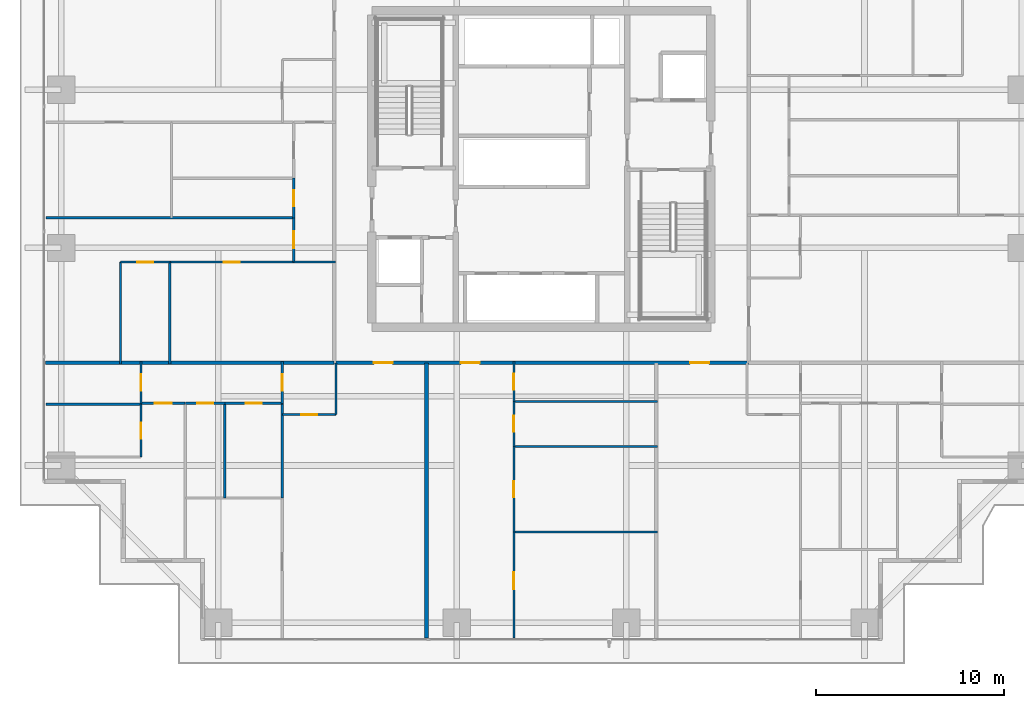
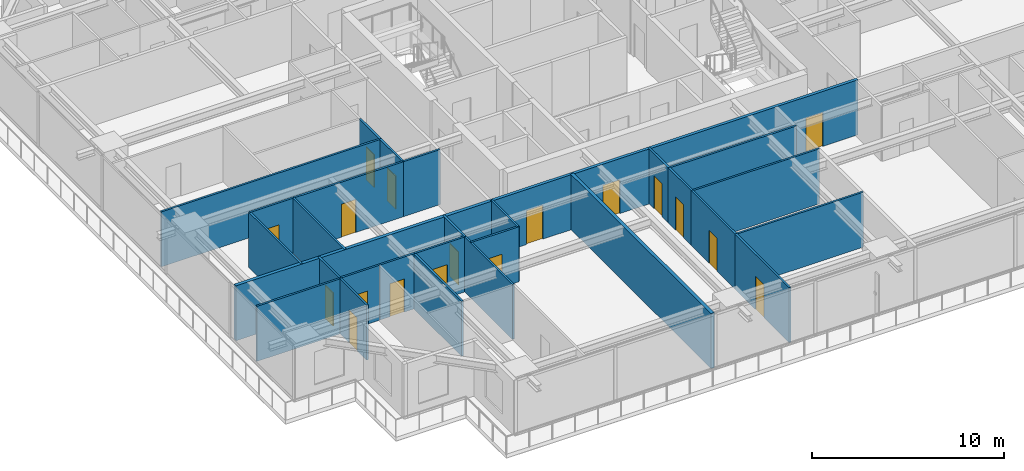
# One storey, part 26 of 38: 29 walls, 18 doors, 18 openings.
"""IFC4 building model written with IfcOpenShell, lengths in metres."""

from ifc_helpers import new_model, si_unit, direction, frame, frame_2d, origin, place, context, subcontext, project, spatial, rectangle, extrude, source, transform, mapped, material, layer, layer_set, type_object, element, fill, save


model = new_model("IFC4")

# Units and contexts
model_context = context("Model", 3, precision=1e-05, world=origin(), true_north=direction((0.0, 1.0)))
body_context = subcontext(model_context, "Body", "Model", "MODEL_VIEW")
ifc_project = project(units=[si_unit("LENGTHUNIT", "METRE"), si_unit("AREAUNIT", "SQUARE_METRE"), si_unit("VOLUMEUNIT", "CUBIC_METRE"), si_unit("PLANEANGLEUNIT", "RADIAN"), si_unit("MASSUNIT", "GRAM", prefix="KILO")], contexts=[model_context])

# Site, building, storey
site_placement = place(None, origin())
site = spatial("IfcSite", under=ifc_project, at=site_placement, CompositionType="ELEMENT")
building_placement = place(site_placement, origin())
building = spatial("IfcBuilding", under=site, at=building_placement, Name="Serunith Strait Residences", CompositionType="ELEMENT")
storey_placement = place(building_placement, frame((0.0, 0.0, 30.449951171875)))
storey = spatial("IfcBuildingStorey", under=building, at=storey_placement, Name="L06", CompositionType="ELEMENT", Elevation=30.449951171875)

# Wall, openings, doors
ifc_material_1 = material(Name="Fire-rated acoustic gypsum partition")
ifc_layer_1 = layer(ifc_material_1, 0.179931640625, Name="Fire-rated acoustic gypsum partition")
ifc_layer_set_1 = layer_set([ifc_layer_1], Name="Fire-rated acoustic gypsum partition")
wall_type_1 = type_object("IfcWallType", Name="IW-CORR-180", PredefinedType="PARTITIONING", material=ifc_layer_set_1)
wall_1_placement = place(storey_placement, frame((21.402099609375, 14.89990234375, 0.0), z_axis=(0.0, 0.0, 1.0), x_axis=(1.0, 0.0, 0.0)))
wall_1 = element("IfcWall", 1, at=wall_1_placement, inside=storey, type_object=wall_type_1, Name="L06 Partition Wall 022", PredefinedType="PARTITIONING", context=body_context, shape_type="SweptSolid", body=[
    extrude(rectangle(XDim=21.995849609375, YDim=0.179931640625, at=frame_2d((10.998046875, 0.0))), origin(), (0.0, 0.0, 1.0), 3.489990234375),
])
opening_1_placement = place(wall_1_placement, frame((2.10009765625, 0.0, 0.0)))
opening_1 = element("IfcOpeningElement", 2, at=opening_1_placement, cuts=wall_1, Name="Opening D-APT1000", PredefinedType="OPENING", context=body_context, shape_type="SweptSolid", body=[
    extrude(rectangle(XDim=1.0, YDim=2.14990234375, at=frame_2d((0.5, 1.074951171875))), frame((0.0, 0.10009765625, 0.0), z_axis=(0.0, -1.0, 0.0), x_axis=(1.0, 0.0, 0.0)), (0.0, 0.0, 1.0), 0.199951171875),
])
opening_2_placement = place(wall_1_placement, frame((6.718994140625, 0.0, 0.0)))
opening_2 = element("IfcOpeningElement", 3, at=opening_2_placement, cuts=wall_1, Name="Opening D-APT1000", PredefinedType="OPENING", context=body_context, shape_type="SweptSolid", body=[
    extrude(rectangle(XDim=1.0, YDim=2.14990234375, at=frame_2d((0.5, 1.074951171875))), frame((0.0, 0.10009765625, 0.0), z_axis=(0.0, -1.0, 0.0), x_axis=(1.0, 0.0, 0.0)), (0.0, 0.0, 1.0), 0.199951171875),
])
opening_3_placement = place(wall_1_placement, frame((18.89599609375, 0.0, 0.0)))
opening_3 = element("IfcOpeningElement", 4, at=opening_3_placement, cuts=wall_1, Name="Opening D-APT1000", PredefinedType="OPENING", context=body_context, shape_type="SweptSolid", body=[
    extrude(rectangle(XDim=1.0, YDim=2.14990234375, at=frame_2d((0.5, 1.074951171875))), frame((0.0, 0.10009765625, 0.0), z_axis=(0.0, -1.0, 0.0), x_axis=(1.0, 0.0, 0.0)), (0.0, 0.0, 1.0), 0.199951171875),
])
ifc_material_2 = material(Name="Solid timber engineered fire door", Category="wood")
door_type_1 = type_object("IfcDoorType", Name="ID-APT-1000", OperationType="NOTDEFINED", PredefinedType="DOOR", material=ifc_material_2)
shared_shape_1 = source(origin(), body_context, "Body", "SweptSolid", [
    extrude(rectangle(XDim=1.0, YDim=2.14990234375, at=frame_2d((0.5, 1.074951171875))), frame((0.0, 0.02490234375, 0.0), z_axis=(0.0, -1.0, 0.0), x_axis=(1.0, 0.0, 0.0)), (0.0, 0.0, 1.0), 0.050048828125),
])
door_1_placement = place(opening_1_placement, origin())
door_1 = element("IfcDoor", 5, at=door_1_placement, inside=storey, type_object=door_type_1, Name="L06 Unit 01 Entrance Door", OperationType="SINGLE_SWING_LEFT", OverallHeight=2.14990234375, OverallWidth=1.0, PredefinedType="DOOR", context=body_context, shape_type="MappedRepresentation", body=[
    mapped(shared_shape_1, transform((0.0, 0.0, 0.0), scale=1.0)),
])
fill(opening_1, door_1)
door_2_placement = place(opening_2_placement, origin())
door_2 = element("IfcDoor", 6, at=door_2_placement, inside=storey, type_object=door_type_1, Name="L06 Unit 02 Entrance Door", OperationType="SINGLE_SWING_RIGHT", OverallHeight=2.14990234375, OverallWidth=1.0, PredefinedType="DOOR", context=body_context, shape_type="MappedRepresentation", body=[
    mapped(shared_shape_1, transform((0.0, 0.0, 0.0), scale=1.0)),
])
fill(opening_2, door_2)
door_3_placement = place(opening_3_placement, origin())
door_3 = element("IfcDoor", 7, at=door_3_placement, inside=storey, type_object=door_type_1, Name="L06 Unit 03 Entrance Door", OperationType="SINGLE_SWING_LEFT", OverallHeight=2.14990234375, OverallWidth=1.0, PredefinedType="DOOR", context=body_context, shape_type="MappedRepresentation", body=[
    mapped(shared_shape_1, transform((0.0, 0.0, 0.0), scale=1.0)),
])
fill(opening_3, door_3)

# Wall, opening, door
ifc_material_3 = material(Name="Lightweight steel-stud gypsum partition", Category="steel")
ifc_layer_2 = layer(ifc_material_3, 0.1201171875, Name="Lightweight steel-stud gypsum partition")
ifc_layer_set_2 = layer_set([ifc_layer_2], Name="Lightweight steel-stud gypsum partition")
wall_type_2 = type_object("IfcWallType", Name="IW-PART-120", PredefinedType="PARTITIONING", material=ifc_layer_set_2)
wall_2_placement = place(storey_placement, frame((18.639892578125, 12.14990234375, 0.0), z_axis=(0.0, 0.0, 1.0), x_axis=(1.0, 0.0, 0.0)))
wall_2 = element("IfcWall", 8, at=wall_2_placement, inside=storey, type_object=wall_type_2, Name="L06 Partition Wall 026", PredefinedType="PARTITIONING", context=body_context, shape_type="SweptSolid", body=[
    extrude(rectangle(XDim=2.85009765625, YDim=0.1201171875, at=frame_2d((1.425048828125, 0.0))), origin(), (0.0, 0.0, 1.0), 3.489990234375),
])
opening_4_placement = place(wall_2_placement, frame((1.0, 0.0, 0.0)))
opening_4 = element("IfcOpeningElement", 9, at=opening_4_placement, cuts=wall_2, Name="Opening D-RM850", PredefinedType="OPENING", context=body_context, shape_type="SweptSolid", body=[
    extrude(rectangle(XDim=0.85009765625, YDim=2.10009765625, at=frame_2d((0.425048828125, 1.050048828125))), frame((0.0, 0.070068359375, 0.0), z_axis=(0.0, -1.0, 0.0), x_axis=(1.0, 0.0, 0.0)), (0.0, 0.0, 1.0), 0.14013671875),
])
ifc_material_4 = material(Name="Engineered timber flush study and kitchen door", Category="wood")
door_type_2 = type_object("IfcDoorType", Name="ID-ROOM-850", OperationType="NOTDEFINED", PredefinedType="DOOR", material=ifc_material_4)
shared_shape_2 = source(origin(), body_context, "Body", "SweptSolid", [
    extrude(rectangle(XDim=0.85009765625, YDim=2.10009765625, at=frame_2d((0.425048828125, 1.050048828125))), frame((0.0, 0.02490234375, 0.0), z_axis=(0.0, -1.0, 0.0), x_axis=(1.0, 0.0, 0.0)), (0.0, 0.0, 1.0), 0.050048828125),
])
door_4_placement = place(opening_4_placement, origin())
door_4 = element("IfcDoor", 10, at=door_4_placement, inside=storey, type_object=door_type_2, Name="L06 Kitchen 0601 Door", OperationType="SINGLE_SWING_LEFT", OverallHeight=2.10009765625, OverallWidth=0.85009765625, PredefinedType="DOOR", context=body_context, shape_type="MappedRepresentation", body=[
    mapped(shared_shape_2, transform((0.0, 0.0, 0.0), scale=1.0)),
])
fill(opening_4, door_4)

# Wall
wall_3_placement = place(storey_placement, frame((21.489990234375, 12.14990234375, 0.0), z_axis=(0.0, 0.0, 1.0), x_axis=(0.0, 1.0, 0.0)))
element("IfcWall", 11, at=wall_3_placement, inside=storey, type_object=wall_type_2, Name="L06 Partition Wall 027", PredefinedType="PARTITIONING", context=body_context, shape_type="SweptSolid", body=[
    extrude(rectangle(XDim=2.748046875, YDim=0.1201171875, at=frame_2d((1.3740234375, 0.0))), origin(), (0.0, 0.0, 1.0), 3.489990234375),
])

# Wall, opening, door
wall_4_placement = place(storey_placement, frame((18.639892578125, 12.75, 0.0), z_axis=(0.0, 0.0, 1.0), x_axis=(0.0, 1.0, 0.0)))
wall_4 = element("IfcWall", 12, at=wall_4_placement, inside=storey, type_object=wall_type_2, Name="L06 Partition Wall 028", PredefinedType="PARTITIONING", context=body_context, shape_type="SweptSolid", body=[
    extrude(rectangle(XDim=2.2099609375, YDim=0.1201171875, at=frame_2d((1.10498046875, 0.0))), origin(), (0.0, 0.0, 1.0), 3.489990234375),
])
opening_5_placement = place(wall_4_placement, frame((0.655029296875, 0.0, 0.0)))
opening_5 = element("IfcOpeningElement", 13, at=opening_5_placement, cuts=wall_4, Name="Opening D-RM900", PredefinedType="OPENING", context=body_context, shape_type="SweptSolid", body=[
    extrude(rectangle(XDim=0.89990234375, YDim=2.10009765625, at=frame_2d((0.449951171875, 1.050048828125))), frame((0.0, 0.070068359375, 0.0), z_axis=(0.0, -1.0, 0.0), x_axis=(1.0, 0.0, 0.0)), (0.0, 0.0, 1.0), 0.14013671875),
])
ifc_material_5 = material(Name="Engineered timber flush bedroom door", Category="wood")
door_type_3 = type_object("IfcDoorType", Name="ID-ROOM-900", OperationType="NOTDEFINED", PredefinedType="DOOR", material=ifc_material_5)
shared_shape_3 = source(origin(), body_context, "Body", "SweptSolid", [
    extrude(rectangle(XDim=0.89990234375, YDim=2.10009765625, at=frame_2d((0.449951171875, 1.050048828125))), frame((0.0, 0.02490234375, 0.0), z_axis=(0.0, -1.0, 0.0), x_axis=(1.0, 0.0, 0.0)), (0.0, 0.0, 1.0), 0.050048828125),
])
door_5_placement = place(opening_5_placement, origin())
door_5 = element("IfcDoor", 14, at=door_5_placement, inside=storey, type_object=door_type_3, Name="L06 Hall W 0601 Door", OperationType="SINGLE_SWING_RIGHT", OverallHeight=2.10009765625, OverallWidth=0.89990234375, PredefinedType="DOOR", context=body_context, shape_type="MappedRepresentation", body=[
    mapped(shared_shape_3, transform((0.0, 0.0, 0.0), scale=1.0)),
])
fill(opening_5, door_5)

# Walls
wall_5_placement = place(storey_placement, frame((18.639892578125, 7.72998046875, 0.0), z_axis=(0.0, 0.0, 1.0), x_axis=(0.0, 1.0, 0.0)))
element("IfcWall", 15, at=wall_5_placement, inside=storey, type_object=wall_type_2, Name="L06 Partition Wall 030", PredefinedType="PARTITIONING", context=body_context, shape_type="SweptSolid", body=[
    extrude(rectangle(XDim=5.01806640625, YDim=0.1201171875, at=frame_2d((2.509033203125, 0.0))), origin(), (0.0, 0.0, 1.0), 3.489990234375),
])
wall_6_placement = place(storey_placement, frame((15.590087890625, 7.72802734375, 0.0), z_axis=(0.0, 0.0, 1.0), x_axis=(0.0, 1.0, 0.0)))
element("IfcWall", 16, at=wall_6_placement, inside=storey, type_object=wall_type_2, Name="L06 Partition Wall 033", PredefinedType="PARTITIONING", context=body_context, shape_type="SweptSolid", body=[
    extrude(rectangle(XDim=5.02197265625, YDim=0.1201171875, at=frame_2d((2.510986328125, 0.0))), origin(), (0.0, 0.0, 1.0), 3.489990234375),
])

# Wall, opening, door
wall_7_placement = place(storey_placement, frame((13.489990234375, 12.75, 0.0), z_axis=(0.0, 0.0, 1.0), x_axis=(1.0, 0.0, 0.0)))
wall_7 = element("IfcWall", 17, at=wall_7_placement, inside=storey, type_object=wall_type_2, Name="L06 Partition Wall 034", PredefinedType="PARTITIONING", context=body_context, shape_type="SweptSolid", body=[
    extrude(rectangle(XDim=2.10009765625, YDim=0.1201171875, at=frame_2d((1.050048828125, 0.0))), origin(), (0.0, 0.0, 1.0), 3.489990234375),
])
opening_6_placement = place(wall_7_placement, frame((0.625, 0.0, 0.0)))
opening_6 = element("IfcOpeningElement", 18, at=opening_6_placement, cuts=wall_7, Name="Opening D-BTH850", PredefinedType="OPENING", context=body_context, shape_type="SweptSolid", body=[
    extrude(rectangle(XDim=0.85009765625, YDim=2.10009765625, at=frame_2d((0.425048828125, 1.050048828125))), frame((0.0, 0.070068359375, 0.0), z_axis=(0.0, -1.0, 0.0), x_axis=(1.0, 0.0, 0.0)), (0.0, 0.0, 1.0), 0.14013671875),
])
ifc_material_6 = material(Name="Moisture-resistant timber bathroom door", Category="wood")
door_type_4 = type_object("IfcDoorType", Name="ID-BATH-850", OperationType="NOTDEFINED", PredefinedType="DOOR", material=ifc_material_6)
door_6_placement = place(opening_6_placement, origin())
door_6 = element("IfcDoor", 19, at=door_6_placement, inside=storey, type_object=door_type_4, Name="L06 Bathroom 0601 Door", OperationType="SINGLE_SWING_RIGHT", OverallHeight=2.10009765625, OverallWidth=0.85009765625, PredefinedType="DOOR", context=body_context, shape_type="MappedRepresentation", body=[
    mapped(shared_shape_2, transform((0.0, 0.0, 0.0), scale=1.0)),
])
fill(opening_6, door_6)

wall_8_placement = place(storey_placement, frame((15.592041015625, 12.75, 0.0), z_axis=(0.0, 0.0, 1.0), x_axis=(1.0, 0.0, 0.0)))
wall_8 = element("IfcWall", 20, at=wall_8_placement, inside=storey, type_object=wall_type_2, Name="L06 Partition Wall 035", PredefinedType="PARTITIONING", context=body_context, shape_type="SweptSolid", body=[
    extrude(rectangle(XDim=3.0478515625, YDim=0.1201171875, at=frame_2d((1.52392578125, 0.0))), origin(), (0.0, 0.0, 1.0), 3.489990234375),
])
opening_7_placement = place(wall_8_placement, frame((1.09912109375, 0.0, 0.0)))
opening_7 = element("IfcOpeningElement", 21, at=opening_7_placement, cuts=wall_8, Name="Opening D-RM850", PredefinedType="OPENING", context=body_context, shape_type="SweptSolid", body=[
    extrude(rectangle(XDim=0.85009765625, YDim=2.10009765625, at=frame_2d((0.425048828125, 1.050048828125))), frame((0.0, 0.070068359375, 0.0), z_axis=(0.0, -1.0, 0.0), x_axis=(1.0, 0.0, 0.0)), (0.0, 0.0, 1.0), 0.14013671875),
])
door_7_placement = place(opening_7_placement, origin())
door_7 = element("IfcDoor", 22, at=door_7_placement, inside=storey, type_object=door_type_2, Name="L06 Formal Dining Room 0601 Door", OperationType="SINGLE_SWING_LEFT", OverallHeight=2.10009765625, OverallWidth=0.85009765625, PredefinedType="DOOR", context=body_context, shape_type="MappedRepresentation", body=[
    mapped(shared_shape_2, transform((0.0, 0.0, 0.0), scale=1.0)),
])
fill(opening_7, door_7)

wall_9_placement = place(storey_placement, frame((11.139892578125, 12.75, 0.0), z_axis=(0.0, 0.0, 1.0), x_axis=(1.0, 0.0, 0.0)))
wall_9 = element("IfcWall", 23, at=wall_9_placement, inside=storey, type_object=wall_type_2, Name="L06 Partition Wall 036", PredefinedType="PARTITIONING", context=body_context, shape_type="SweptSolid", body=[
    extrude(rectangle(XDim=2.34814453125, YDim=0.1201171875, at=frame_2d((1.174072265625, 0.0))), origin(), (0.0, 0.0, 1.0), 3.489990234375),
])
opening_8_placement = place(wall_9_placement, frame((0.72412109375, 0.0, 0.0)))
opening_8 = element("IfcOpeningElement", 24, at=opening_8_placement, cuts=wall_9, Name="Opening D-RM900", PredefinedType="OPENING", context=body_context, shape_type="SweptSolid", body=[
    extrude(rectangle(XDim=0.89990234375, YDim=2.10009765625, at=frame_2d((0.449951171875, 1.050048828125))), frame((0.0, 0.070068359375, 0.0), z_axis=(0.0, -1.0, 0.0), x_axis=(1.0, 0.0, 0.0)), (0.0, 0.0, 1.0), 0.14013671875),
])
door_8_placement = place(opening_8_placement, origin())
door_8 = element("IfcDoor", 25, at=door_8_placement, inside=storey, type_object=door_type_3, Name="L06 Master Bedroom W 0601 Door", OperationType="SINGLE_SWING_RIGHT", OverallHeight=2.10009765625, OverallWidth=0.89990234375, PredefinedType="DOOR", context=body_context, shape_type="MappedRepresentation", body=[
    mapped(shared_shape_3, transform((0.0, 0.0, 0.0), scale=1.0)),
])
fill(opening_8, door_8)

# Wall
wall_10_placement = place(storey_placement, frame((6.094970703125, 12.701904296875, 0.0), z_axis=(0.0, 0.0, 1.0), x_axis=(1.0, 0.0, 0.0)))
element("IfcWall", 26, at=wall_10_placement, inside=storey, type_object=wall_type_2, Name="L06 Partition Wall 038", PredefinedType="PARTITIONING", context=body_context, shape_type="SweptSolid", body=[
    extrude(rectangle(XDim=5.04296875, YDim=0.1201171875, at=frame_2d((2.521484375, 0.0))), origin(), (0.0, 0.0, 1.0), 3.489990234375),
])

# Wall, opening, door
wall_11_placement = place(storey_placement, frame((11.139892578125, 9.89404296875, 0.0), z_axis=(0.0, 0.0, 1.0), x_axis=(0.0, 1.0, 0.0)))
wall_11 = element("IfcWall", 27, at=wall_11_placement, inside=storey, type_object=wall_type_2, Name="L06 Partition Wall 039", PredefinedType="PARTITIONING", context=body_context, shape_type="SweptSolid", body=[
    extrude(rectangle(XDim=2.807861328125, YDim=0.1201171875, at=frame_2d((1.40380859375, 0.0))), origin(), (0.0, 0.0, 1.0), 3.489990234375),
])
opening_9_placement = place(wall_11_placement, frame((0.97900390625, 0.0, 0.0)))
opening_9 = element("IfcOpeningElement", 28, at=opening_9_placement, cuts=wall_11, Name="Opening D-BTH850", PredefinedType="OPENING", context=body_context, shape_type="SweptSolid", body=[
    extrude(rectangle(XDim=0.85009765625, YDim=2.10009765625, at=frame_2d((0.425048828125, 1.050048828125))), frame((0.0, 0.070068359375, 0.0), z_axis=(0.0, -1.0, 0.0), x_axis=(1.0, 0.0, 0.0)), (0.0, 0.0, 1.0), 0.14013671875),
])
door_9_placement = place(opening_9_placement, origin())
door_9 = element("IfcDoor", 29, at=door_9_placement, inside=storey, type_object=door_type_4, Name="L06 En-suite Bathroom W 0601 Door", OperationType="SINGLE_SWING_LEFT", OverallHeight=2.10009765625, OverallWidth=0.85009765625, PredefinedType="DOOR", context=body_context, shape_type="MappedRepresentation", body=[
    mapped(shared_shape_2, transform((0.0, 0.0, 0.0), scale=1.0)),
])
fill(opening_9, door_9)

wall_12_placement = place(storey_placement, frame((11.139892578125, 12.75, 0.0), z_axis=(0.0, 0.0, 1.0), x_axis=(0.0, 1.0, 0.0)))
wall_12 = element("IfcWall", 30, at=wall_12_placement, inside=storey, type_object=wall_type_2, Name="L06 Partition Wall 040", PredefinedType="PARTITIONING", context=body_context, shape_type="SweptSolid", body=[
    extrude(rectangle(XDim=2.2099609375, YDim=0.1201171875, at=frame_2d((1.10498046875, 0.0))), origin(), (0.0, 0.0, 1.0), 3.489990234375),
])
opening_10_placement = place(wall_12_placement, frame((0.679931640625, 0.0, 0.0)))
opening_10 = element("IfcOpeningElement", 31, at=opening_10_placement, cuts=wall_12, Name="Opening D-RM850", PredefinedType="OPENING", context=body_context, shape_type="SweptSolid", body=[
    extrude(rectangle(XDim=0.85009765625, YDim=2.10009765625, at=frame_2d((0.425048828125, 1.050048828125))), frame((0.0, 0.070068359375, 0.0), z_axis=(0.0, -1.0, 0.0), x_axis=(1.0, 0.0, 0.0)), (0.0, 0.0, 1.0), 0.14013671875),
])
door_10_placement = place(opening_10_placement, origin())
door_10 = element("IfcDoor", 32, at=door_10_placement, inside=storey, type_object=door_type_2, Name="L06 Wardrobe W 0601 Door", OperationType="SINGLE_SWING_RIGHT", OverallHeight=2.10009765625, OverallWidth=0.85009765625, PredefinedType="DOOR", context=body_context, shape_type="MappedRepresentation", body=[
    mapped(shared_shape_2, transform((0.0, 0.0, 0.0), scale=1.0)),
])
fill(opening_10, door_10)

wall_13_placement = place(storey_placement, frame((30.93994140625, 0.294921875, 0.0), z_axis=(0.0, 0.0, 1.0), x_axis=(0.0, 1.0, 0.0)))
wall_13 = element("IfcWall", 33, at=wall_13_placement, inside=storey, type_object=wall_type_2, Name="L06 Partition Wall 041", PredefinedType="PARTITIONING", context=body_context, shape_type="SweptSolid", body=[
    extrude(rectangle(XDim=5.619140625, YDim=0.1201171875, at=frame_2d((2.8095703125, 0.0))), origin(), (0.0, 0.0, 1.0), 3.489990234375),
])
opening_11_placement = place(wall_13_placement, frame((2.594970703125, 0.0, 0.0)))
opening_11 = element("IfcOpeningElement", 34, at=opening_11_placement, cuts=wall_13, Name="Opening D-RM900", PredefinedType="OPENING", context=body_context, shape_type="SweptSolid", body=[
    extrude(rectangle(XDim=0.89990234375, YDim=2.10009765625, at=frame_2d((0.449951171875, 1.050048828125))), frame((0.0, 0.070068359375, 0.0), z_axis=(0.0, -1.0, 0.0), x_axis=(1.0, 0.0, 0.0)), (0.0, 0.0, 1.0), 0.14013671875),
])
door_11_placement = place(opening_11_placement, origin())
door_11 = element("IfcDoor", 35, at=door_11_placement, inside=storey, type_object=door_type_3, Name="L06 Master Bedroom 1 0602 Door", OperationType="SINGLE_SWING_LEFT", OverallHeight=2.10009765625, OverallWidth=0.89990234375, PredefinedType="DOOR", context=body_context, shape_type="MappedRepresentation", body=[
    mapped(shared_shape_3, transform((0.0, 0.0, 0.0), scale=1.0)),
])
fill(opening_11, door_11)

# Walls
for number, where, z_axis, x_axis, name in (
    (36, (30.93994140625, 5.9140625, 0.0), (0.0, 0.0, 1.0), (1.0, 0.0, 0.0), "L06 Partition Wall 042"),
    (37, (30.93994140625, 10.4560546875, 0.0), (0.0, 0.0, 1.0), (1.0, 0.0, 0.0), "L06 Partition Wall 043"),
    (38, (30.93994140625, 12.85009765625, 0.0), (0.0, 0.0, 1.0), (1.0, 0.0, 0.0), "L06 Partition Wall 044"),
):
    element("IfcWall", number, at=place(storey_placement, frame(where, z_axis=z_axis, x_axis=x_axis)), inside=storey, type_object=wall_type_2, Name=name, PredefinedType="PARTITIONING", context=body_context, shape_type="SweptSolid", body=[
        extrude(rectangle(XDim=7.6201171875, YDim=0.1201171875, at=frame_2d((3.81005859375, 0.0))), origin(), (0.0, 0.0, 1.0), 3.489990234375),
    ])

# Wall, opening, door
wall_14_placement = place(storey_placement, frame((30.93994140625, 5.916015625, 0.0), z_axis=(0.0, 0.0, 1.0), x_axis=(0.0, 1.0, 0.0)))
wall_14 = element("IfcWall", 39, at=wall_14_placement, inside=storey, type_object=wall_type_2, Name="L06 Partition Wall 045", PredefinedType="PARTITIONING", context=body_context, shape_type="SweptSolid", body=[
    extrude(rectangle(XDim=4.5400390625, YDim=0.1201171875, at=frame_2d((2.27001953125, 0.0))), origin(), (0.0, 0.0, 1.0), 3.489990234375),
])
opening_12_placement = place(wall_14_placement, frame((1.844970703125, 0.0, 0.0)))
opening_12 = element("IfcOpeningElement", 40, at=opening_12_placement, cuts=wall_14, Name="Opening D-RM850", PredefinedType="OPENING", context=body_context, shape_type="SweptSolid", body=[
    extrude(rectangle(XDim=0.85009765625, YDim=2.10009765625, at=frame_2d((0.425048828125, 1.050048828125))), frame((0.0, 0.070068359375, 0.0), z_axis=(0.0, -1.0, 0.0), x_axis=(1.0, 0.0, 0.0)), (0.0, 0.0, 1.0), 0.14013671875),
])
door_12_placement = place(opening_12_placement, origin())
door_12 = element("IfcDoor", 41, at=door_12_placement, inside=storey, type_object=door_type_2, Name="L06 Dining 0602 Door", OperationType="SINGLE_SWING_RIGHT", OverallHeight=2.10009765625, OverallWidth=0.85009765625, PredefinedType="DOOR", context=body_context, shape_type="MappedRepresentation", body=[
    mapped(shared_shape_2, transform((0.0, 0.0, 0.0), scale=1.0)),
])
fill(opening_12, door_12)

wall_15_placement = place(storey_placement, frame((30.93994140625, 10.4580078125, 0.0), z_axis=(0.0, 0.0, 1.0), x_axis=(0.0, 1.0, 0.0)))
wall_15 = element("IfcWall", 42, at=wall_15_placement, inside=storey, type_object=wall_type_2, Name="L06 Partition Wall 046", PredefinedType="PARTITIONING", context=body_context, shape_type="SweptSolid", body=[
    extrude(rectangle(XDim=2.39208984375, YDim=0.1201171875, at=frame_2d((1.196044921875, 0.0))), origin(), (0.0, 0.0, 1.0), 3.489990234375),
])
opening_13_placement = place(wall_15_placement, frame((0.77099609375, 0.0, 0.0)))
opening_13 = element("IfcOpeningElement", 43, at=opening_13_placement, cuts=wall_15, Name="Opening D-RM850", PredefinedType="OPENING", context=body_context, shape_type="SweptSolid", body=[
    extrude(rectangle(XDim=0.85009765625, YDim=2.10009765625, at=frame_2d((0.425048828125, 1.050048828125))), frame((0.0, 0.070068359375, 0.0), z_axis=(0.0, -1.0, 0.0), x_axis=(1.0, 0.0, 0.0)), (0.0, 0.0, 1.0), 0.14013671875),
])
door_13_placement = place(opening_13_placement, origin())
door_13 = element("IfcDoor", 44, at=door_13_placement, inside=storey, type_object=door_type_2, Name="L06 Kitchen 0602 Door", OperationType="SINGLE_SWING_LEFT", OverallHeight=2.10009765625, OverallWidth=0.85009765625, PredefinedType="DOOR", context=body_context, shape_type="MappedRepresentation", body=[
    mapped(shared_shape_2, transform((0.0, 0.0, 0.0), scale=1.0)),
])
fill(opening_13, door_13)

wall_16_placement = place(storey_placement, frame((30.93994140625, 12.85205078125, 0.0), z_axis=(0.0, 0.0, 1.0), x_axis=(0.0, 1.0, 0.0)))
wall_16 = element("IfcWall", 45, at=wall_16_placement, inside=storey, type_object=wall_type_2, Name="L06 Partition Wall 047", PredefinedType="PARTITIONING", context=body_context, shape_type="SweptSolid", body=[
    extrude(rectangle(XDim=2.10791015625, YDim=0.1201171875, at=frame_2d((1.053955078125, 0.0))), origin(), (0.0, 0.0, 1.0), 3.489990234375),
])
opening_14_placement = place(wall_16_placement, frame((0.62890625, 0.0, 0.0)))
opening_14 = element("IfcOpeningElement", 46, at=opening_14_placement, cuts=wall_16, Name="Opening D-BTH850", PredefinedType="OPENING", context=body_context, shape_type="SweptSolid", body=[
    extrude(rectangle(XDim=0.85009765625, YDim=2.10009765625, at=frame_2d((0.425048828125, 1.050048828125))), frame((0.0, 0.070068359375, 0.0), z_axis=(0.0, -1.0, 0.0), x_axis=(1.0, 0.0, 0.0)), (0.0, 0.0, 1.0), 0.14013671875),
])
door_14_placement = place(opening_14_placement, origin())
door_14 = element("IfcDoor", 47, at=door_14_placement, inside=storey, type_object=door_type_4, Name="L06 Bathroom 0602 Door", OperationType="SINGLE_SWING_RIGHT", OverallHeight=2.10009765625, OverallWidth=0.85009765625, PredefinedType="DOOR", context=body_context, shape_type="MappedRepresentation", body=[
    mapped(shared_shape_2, transform((0.0, 0.0, 0.0), scale=1.0)),
])
fill(opening_14, door_14)

# Wall
wall_17_placement = place(storey_placement, frame((6.094970703125, 22.60009765625, 0.0), z_axis=(0.0, 0.0, 1.0), x_axis=(1.0, 0.0, 0.0)))
element("IfcWall", 48, at=wall_17_placement, inside=storey, type_object=wall_type_2, Name="L06 Partition Wall 106", PredefinedType="PARTITIONING", context=body_context, shape_type="SweptSolid", body=[
    extrude(rectangle(XDim=13.155029296875, YDim=0.1201171875, at=frame_2d((6.57763671875, 0.0))), origin(), (0.0, 0.0, 1.0), 3.489990234375),
])

# Wall, opening, door
wall_18_placement = place(storey_placement, frame((19.25, 22.60009765625, 0.0), z_axis=(0.0, 0.0, 1.0), x_axis=(0.0, 1.0, 0.0)))
wall_18 = element("IfcWall", 49, at=wall_18_placement, inside=storey, type_object=wall_type_2, Name="L06 Partition Wall 108", PredefinedType="PARTITIONING", context=body_context, shape_type="SweptSolid", body=[
    extrude(rectangle(XDim=2.099853515625, YDim=0.1201171875, at=frame_2d((1.0498046875, 0.0))), origin(), (0.0, 0.0, 1.0), 3.489990234375),
])
opening_15_placement = place(wall_18_placement, frame((0.625, 0.0, 0.0)))
opening_15 = element("IfcOpeningElement", 50, at=opening_15_placement, cuts=wall_18, Name="Opening D-BTH850", PredefinedType="OPENING", context=body_context, shape_type="SweptSolid", body=[
    extrude(rectangle(XDim=0.85009765625, YDim=2.10009765625, at=frame_2d((0.425048828125, 1.050048828125))), frame((0.0, 0.070068359375, 0.0), z_axis=(0.0, -1.0, 0.0), x_axis=(1.0, 0.0, 0.0)), (0.0, 0.0, 1.0), 0.14013671875),
])
door_15_placement = place(opening_15_placement, origin())
door_15 = element("IfcDoor", 51, at=door_15_placement, inside=storey, type_object=door_type_4, Name="L06 Bathroom 0607 Door", OperationType="SINGLE_SWING_RIGHT", OverallHeight=2.10009765625, OverallWidth=0.85009765625, PredefinedType="DOOR", context=body_context, shape_type="MappedRepresentation", body=[
    mapped(shared_shape_2, transform((0.0, 0.0, 0.0), scale=1.0)),
])
fill(opening_15, door_15)

wall_19_placement = place(storey_placement, frame((19.25, 20.25, 0.0), z_axis=(0.0, 0.0, 1.0), x_axis=(0.0, 1.0, 0.0)))
wall_19 = element("IfcWall", 52, at=wall_19_placement, inside=storey, type_object=wall_type_2, Name="L06 Partition Wall 110", PredefinedType="PARTITIONING", context=body_context, shape_type="SweptSolid", body=[
    extrude(rectangle(XDim=2.347900390625, YDim=0.1201171875, at=frame_2d((1.173828125, 0.0))), origin(), (0.0, 0.0, 1.0), 3.489990234375),
])
opening_16_placement = place(wall_19_placement, frame((0.72412109375, 0.0, 0.0)))
opening_16 = element("IfcOpeningElement", 53, at=opening_16_placement, cuts=wall_19, Name="Opening D-RM900", PredefinedType="OPENING", context=body_context, shape_type="SweptSolid", body=[
    extrude(rectangle(XDim=0.89990234375, YDim=2.10009765625, at=frame_2d((0.449951171875, 1.050048828125))), frame((0.0, 0.070068359375, 0.0), z_axis=(0.0, -1.0, 0.0), x_axis=(1.0, 0.0, 0.0)), (0.0, 0.0, 1.0), 0.14013671875),
])
door_16_placement = place(opening_16_placement, origin())
door_16 = element("IfcDoor", 54, at=door_16_placement, inside=storey, type_object=door_type_3, Name="L06 Master Bedroom W 0607 Door", OperationType="SINGLE_SWING_RIGHT", OverallHeight=2.10009765625, OverallWidth=0.89990234375, PredefinedType="DOOR", context=body_context, shape_type="MappedRepresentation", body=[
    mapped(shared_shape_3, transform((0.0, 0.0, 0.0), scale=1.0)),
])
fill(opening_16, door_16)

# Walls
for number, where, z_axis, x_axis, name in (
    (55, (10.050048828125, 14.840087890625, 0.0), (0.0, 0.0, 1.0), (0.0, 1.0, 0.0), "L06 Partition Wall 111"),
    (56, (12.6669921875, 14.840087890625, 0.0), (0.0, 0.0, 1.0), (0.0, 1.0, 0.0), "L06 Partition Wall 112"),
):
    element("IfcWall", number, at=place(storey_placement, frame(where, z_axis=z_axis, x_axis=x_axis)), inside=storey, type_object=wall_type_2, Name=name, PredefinedType="PARTITIONING", context=body_context, shape_type="SweptSolid", body=[
        extrude(rectangle(XDim=5.409912109375, YDim=0.1201171875, at=frame_2d((2.705078125, 0.0))), origin(), (0.0, 0.0, 1.0), 3.489990234375),
    ])

# Wall, opening, door
wall_20_placement = place(storey_placement, frame((10.050048828125, 20.25, 0.0), z_axis=(0.0, 0.0, 1.0), x_axis=(1.0, 0.0, 0.0)))
wall_20 = element("IfcWall", 57, at=wall_20_placement, inside=storey, type_object=wall_type_2, Name="L06 Partition Wall 113", PredefinedType="PARTITIONING", context=body_context, shape_type="SweptSolid", body=[
    extrude(rectangle(XDim=2.616943359375, YDim=0.1201171875, at=frame_2d((1.30859375, 0.0))), origin(), (0.0, 0.0, 1.0), 3.489990234375),
])
opening_17_placement = place(wall_20_placement, frame((0.883056640625, 0.0, 0.0)))
opening_17 = element("IfcOpeningElement", 58, at=opening_17_placement, cuts=wall_20, Name="Opening D-BTH850", PredefinedType="OPENING", context=body_context, shape_type="SweptSolid", body=[
    extrude(rectangle(XDim=0.85009765625, YDim=2.10009765625, at=frame_2d((0.425048828125, 1.050048828125))), frame((0.0, 0.070068359375, 0.0), z_axis=(0.0, -1.0, 0.0), x_axis=(1.0, 0.0, 0.0)), (0.0, 0.0, 1.0), 0.14013671875),
])
door_17_placement = place(opening_17_placement, origin())
door_17 = element("IfcDoor", 59, at=door_17_placement, inside=storey, type_object=door_type_4, Name="L06 En-suite Bathroom W 0607 Door", OperationType="SINGLE_SWING_LEFT", OverallHeight=2.10009765625, OverallWidth=0.85009765625, PredefinedType="DOOR", context=body_context, shape_type="MappedRepresentation", body=[
    mapped(shared_shape_2, transform((0.0, 0.0, 0.0), scale=1.0)),
])
fill(opening_17, door_17)

wall_21_placement = place(storey_placement, frame((12.6689453125, 20.25, 0.0), z_axis=(0.0, 0.0, 1.0), x_axis=(1.0, 0.0, 0.0)))
wall_21 = element("IfcWall", 60, at=wall_21_placement, inside=storey, type_object=wall_type_2, Name="L06 Partition Wall 114", PredefinedType="PARTITIONING", context=body_context, shape_type="SweptSolid", body=[
    extrude(rectangle(XDim=6.5810546875, YDim=0.1201171875, at=frame_2d((3.29052734375, 0.0))), origin(), (0.0, 0.0, 1.0), 3.489990234375),
])
opening_18_placement = place(wall_21_placement, frame((2.864990234375, 0.0, 0.0)))
opening_18 = element("IfcOpeningElement", 61, at=opening_18_placement, cuts=wall_21, Name="Opening D-RM850", PredefinedType="OPENING", context=body_context, shape_type="SweptSolid", body=[
    extrude(rectangle(XDim=0.85009765625, YDim=2.10009765625, at=frame_2d((0.425048828125, 1.050048828125))), frame((0.0, 0.070068359375, 0.0), z_axis=(0.0, -1.0, 0.0), x_axis=(1.0, 0.0, 0.0)), (0.0, 0.0, 1.0), 0.14013671875),
])
door_18_placement = place(opening_18_placement, origin())
door_18 = element("IfcDoor", 62, at=door_18_placement, inside=storey, type_object=door_type_2, Name="L06 Wardrobe W 0607 Door", OperationType="SINGLE_SWING_RIGHT", OverallHeight=2.10009765625, OverallWidth=0.85009765625, PredefinedType="DOOR", context=body_context, shape_type="MappedRepresentation", body=[
    mapped(shared_shape_2, transform((0.0, 0.0, 0.0), scale=1.0)),
])
fill(opening_18, door_18)

# Walls
wall_22_placement = place(storey_placement, frame((19.251953125, 20.25, 0.0), z_axis=(0.0, 0.0, 1.0), x_axis=(1.0, 0.0, 0.0)))
element("IfcWall", 63, at=wall_22_placement, inside=storey, type_object=wall_type_2, Name="L06 Partition Wall 115", PredefinedType="PARTITIONING", context=body_context, shape_type="SweptSolid", body=[
    extrude(rectangle(XDim=2.2080078125, YDim=0.1201171875, at=frame_2d((1.10400390625, 0.0))), origin(), (0.0, 0.0, 1.0), 3.489990234375),
])
ifc_material_7 = material(Name="Twin-stud acoustic gypsum board partition")
ifc_layer_3 = layer(ifc_material_7, 0.199951171875, Name="Twin-stud acoustic gypsum board partition")
ifc_layer_set_3 = layer_set([ifc_layer_3], Name="Twin-stud acoustic gypsum board partition")
wall_type_3 = type_object("IfcWallType", Name="IW-PARTY-200", PredefinedType="PARTITIONING", material=ifc_layer_set_3)
wall_23_placement = place(storey_placement, frame((26.300048828125, 0.281982421875, 0.0), z_axis=(0.0, 0.0, 1.0), x_axis=(0.0, 1.0, 0.0)))
element("IfcWall", 64, at=wall_23_placement, inside=storey, type_object=wall_type_3, Name="L06 Partition Wall 014", PredefinedType="PARTITIONING", context=body_context, shape_type="SweptSolid", body=[
    extrude(rectangle(XDim=14.617919921875, YDim=0.199951171875, at=frame_2d((7.30908203125, 0.0))), origin(), (0.0, 0.0, 1.0), 3.489990234375),
])
wall_24_placement = place(storey_placement, frame((6.08203125, 14.89990234375, 0.0), z_axis=(0.0, 0.0, 1.0), x_axis=(1.0, 0.0, 0.0)))
element("IfcWall", 65, at=wall_24_placement, inside=storey, type_object=wall_type_3, Name="L06 Partition Wall 018", PredefinedType="PARTITIONING", context=body_context, shape_type="SweptSolid", body=[
    extrude(rectangle(XDim=15.31787109375, YDim=0.199951171875, at=frame_2d((7.658935546875, 0.0))), origin(), (0.0, 0.0, 1.0), 3.489990234375),
])

save(model, "model.ifc")
